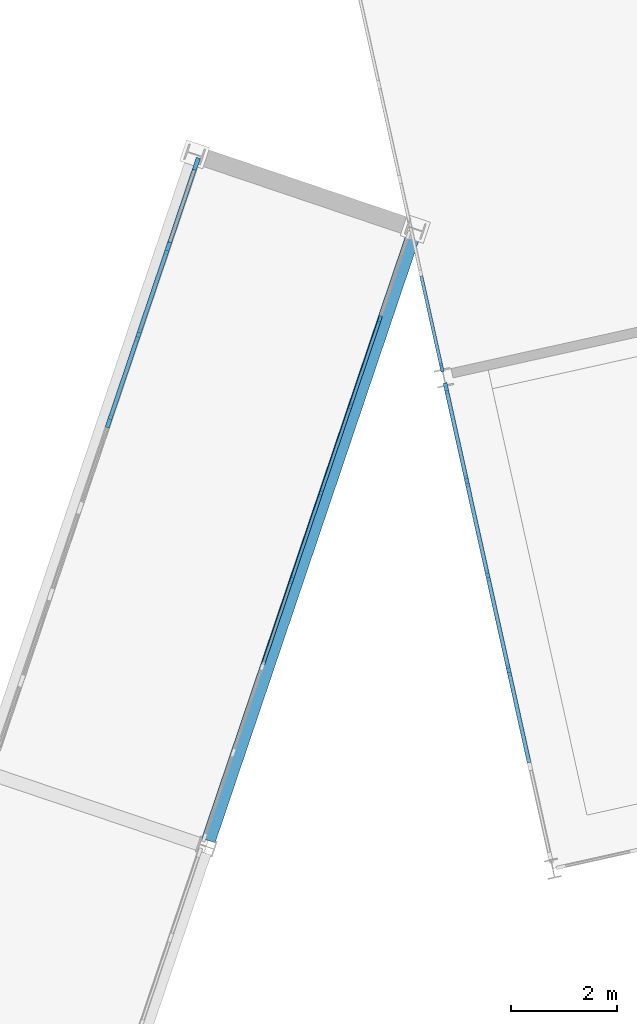
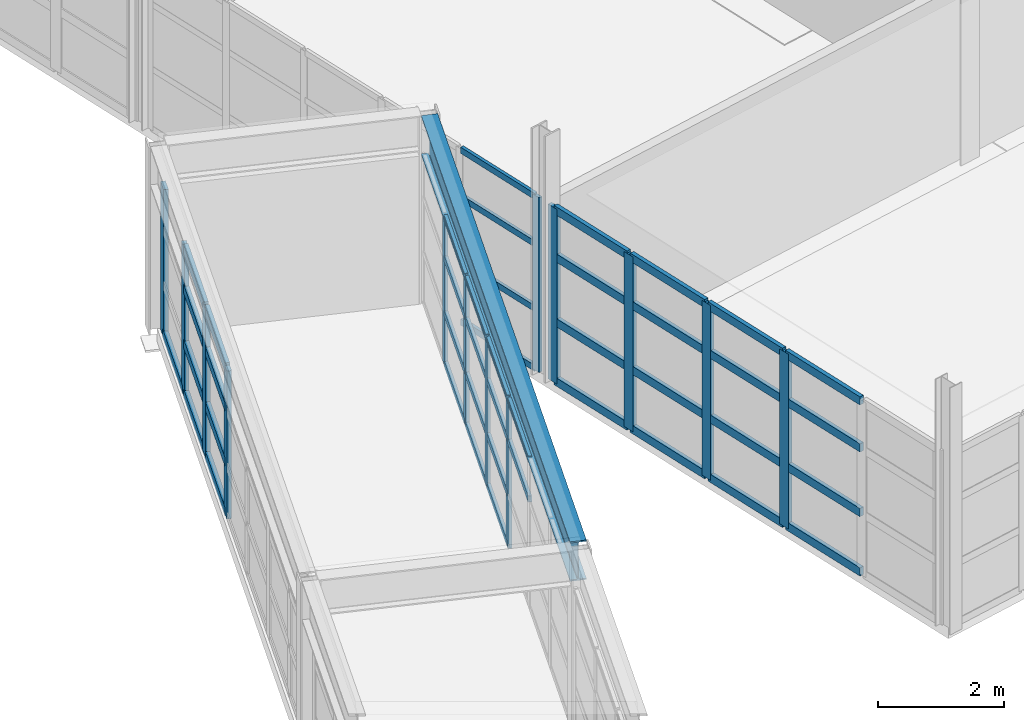
# One storey, part 52 of 102: 56 members, 1 beam, 4 elements without a shape of their own.
"""IFC4 building model written with IfcOpenShell, lengths in metres."""

from ifc_helpers import new_model, si_unit, direction, frame, origin, origin_2d, place, context, subcontext, project, spatial, rectangle, i_section, extrude, material, layer, layer_set, material_profile, profile_set, type_object, element, aggregate, save


model = new_model("IFC4")

# Units and contexts
model_context = context("Model", 3, precision=1e-05, world=origin(), true_north=direction((0.0, 1.0)))
body_context = subcontext(model_context, "Body", "Model", "MODEL_VIEW")
ifc_project = project(units=[si_unit("LENGTHUNIT", "METRE"), si_unit("AREAUNIT", "SQUARE_METRE"), si_unit("VOLUMEUNIT", "CUBIC_METRE"), si_unit("PLANEANGLEUNIT", "RADIAN"), si_unit("MASSUNIT", "GRAM", prefix="KILO")], contexts=[model_context])

# Site, building, storey
site_placement = place(None, origin())
site = spatial("IfcSite", under=ifc_project, at=site_placement, CompositionType="ELEMENT")
building_placement = place(site_placement, origin())
building = spatial("IfcBuilding", under=site, at=building_placement, Name="Vireo Bluff Cable Station", CompositionType="ELEMENT")
storey_placement = place(building_placement, frame((0.0, 0.0, 9.60009765625)))
storey = spatial("IfcBuildingStorey", under=building, at=storey_placement, Name="L02", CompositionType="ELEMENT", Elevation=9.60009765625)

# Curtain wall, members
ifc_material_1 = material(Name="Anodized Aluminium 6063-T6", Category="aluminium")
ifc_layer_1 = layer(ifc_material_1, 0.159912109375, Name="Anodized Aluminium 6063-T6")
ifc_layer_set_1 = layer_set([ifc_layer_1], Name="Anodized Aluminium 6063-T6")
curtain_wall_type_1 = type_object("IfcCurtainWallType", Name="CW-STICK-1850", PredefinedType="USERDEFINED", material=ifc_layer_set_1)
curtain_wall_1_placement = place(storey_placement, origin())
curtain_wall_1 = element("IfcCurtainWall", 1, at=curtain_wall_1_placement, inside=storey, type_object=curtain_wall_type_1, Name="V2 L02 west curtain wall CW-053", ObjectType="STICK CURTAIN WALL", PredefinedType="USERDEFINED")
ifc_material_profile_1 = material_profile(ifc_material_1, rectangle(XDim=0.074951171875, YDim=0.2099609375, at=origin_2d()), Name="ALU-M-75X210")
ifc_profile_set_1 = profile_set([ifc_material_profile_1], Name="Anodized Aluminium 6063-T6")
member_type_1 = type_object("IfcMemberType", Name="CWM-02", PredefinedType="MULLION", material=ifc_profile_set_1)
member_1_placement = place(storey_placement, frame((125.1689453125, 77.748779296875, 0.0), z_axis=(0.0, 0.0, 1.0), x_axis=(-0.976296000381, -0.216439644337, 0.0)))
member_1 = element("IfcMember", 2, at=member_1_placement, type_object=member_type_1, Name="CW-053 mullion 3", PredefinedType="MULLION", context=body_context, shape_type="SweptSolid", body=[
    extrude(rectangle(XDim=0.074951171875, YDim=0.2099609375, at=origin_2d()), origin(), (0.0, 0.0, 1.0), 3.39990234375),
])
member_2_placement = place(storey_placement, frame((124.772705078125, 79.535888671875, 0.0), z_axis=(0.0, 0.0, 1.0), x_axis=(-0.976296000381, -0.216439644337, 0.0)))
member_2 = element("IfcMember", 3, at=member_2_placement, type_object=member_type_1, Name="CW-053 mullion 4", PredefinedType="MULLION", context=body_context, shape_type="SweptSolid", body=[
    extrude(rectangle(XDim=0.074951171875, YDim=0.2099609375, at=origin_2d()), origin(), (0.0, 0.0, 1.0), 3.39990234375),
])
member_3_placement = place(storey_placement, frame((124.37646484375, 81.322998046875, 0.0), z_axis=(0.0, 0.0, 1.0), x_axis=(-0.976296000381, -0.216439644337, 0.0)))
member_3 = element("IfcMember", 4, at=member_3_placement, type_object=member_type_1, Name="CW-053 mullion 5", PredefinedType="MULLION", context=body_context, shape_type="SweptSolid", body=[
    extrude(rectangle(XDim=0.074951171875, YDim=0.2099609375, at=origin_2d()), origin(), (0.0, 0.0, 1.0), 3.39990234375),
])
member_4_placement = place(storey_placement, frame((123.988525390625, 83.07373046875, 0.0), z_axis=(0.0, 0.0, 1.0), x_axis=(-0.976296000381, -0.216439644337, 0.0)))
member_4 = element("IfcMember", 5, at=member_4_placement, type_object=member_type_1, Name="CW-053 mullion 6", PredefinedType="MULLION", context=body_context, shape_type="SweptSolid", body=[
    extrude(rectangle(XDim=0.074951171875, YDim=0.2099609375, at=origin_2d()), origin(), (0.0, 0.0, 1.0), 3.39990234375),
])

# Curtain wall, member
ifc_layer_2 = layer(ifc_material_1, 0.159912109375, Name="Anodized Aluminium 6063-T6")
ifc_layer_set_2 = layer_set([ifc_layer_2], Name="Anodized Aluminium 6063-T6")
curtain_wall_type_2 = type_object("IfcCurtainWallType", Name="CW-STICK-1750", PredefinedType="USERDEFINED", material=ifc_layer_set_2)
curtain_wall_2_placement = place(storey_placement, origin())
curtain_wall_2 = element("IfcCurtainWall", 6, at=curtain_wall_2_placement, inside=storey, type_object=curtain_wall_type_2, Name="V2 L02 west curtain wall CW-054", ObjectType="STICK CURTAIN WALL", PredefinedType="USERDEFINED")
ifc_material_profile_2 = material_profile(ifc_material_1, rectangle(XDim=0.06005859375, YDim=0.159912109375, at=origin_2d()), Name="ALU-M-60X160")
ifc_profile_set_2 = profile_set([ifc_material_profile_2], Name="Anodized Aluminium 6063-T6")
member_type_2 = type_object("IfcMemberType", Name="CWM-03", PredefinedType="MULLION", material=ifc_profile_set_2)
member_5_placement = place(storey_placement, frame((123.90087890625, 83.468505859375, 0.0), z_axis=(0.0, 0.0, 1.0), x_axis=(-0.976295993898, -0.216439673577, 0.0)))
member_5 = element("IfcMember", 7, at=member_5_placement, type_object=member_type_2, Name="CW-054 mullion 1", PredefinedType="MULLION", context=body_context, shape_type="SweptSolid", body=[
    extrude(rectangle(XDim=0.06005859375, YDim=0.159912109375, at=origin_2d()), origin(), (0.0, 0.0, 1.0), 3.39990234375),
])

# Curtain wall, members
curtain_wall_3_placement = place(storey_placement, origin())
curtain_wall_3 = element("IfcCurtainWall", 8, at=curtain_wall_3_placement, inside=storey, type_object=curtain_wall_type_2, Name="SKYBR L02 HAUL-DRIVE-3L curtain wall CW-150", ObjectType="STICK CURTAIN WALL", PredefinedType="USERDEFINED")
member_6_placement = place(storey_placement, frame((121.072509765625, 79.46337890625, 0.0), z_axis=(0.0, 0.0, 1.0), x_axis=(-0.947297996715, 0.320353719222, 0.0)))
member_6 = element("IfcMember", 9, at=member_6_placement, type_object=member_type_2, Name="CW-150 mullion 4", PredefinedType="MULLION", context=body_context, shape_type="SweptSolid", body=[
    extrude(rectangle(XDim=0.06005859375, YDim=0.159912109375, at=origin_2d()), origin(), (0.0, 0.0, 1.0), 2.8798828125),
])
member_7_placement = place(storey_placement, frame((121.625, 81.09765625, 0.0), z_axis=(0.0, 0.0, 1.0), x_axis=(-0.947297996715, 0.320353719222, 0.0)))
member_7 = element("IfcMember", 10, at=member_7_placement, type_object=member_type_2, Name="CW-150 mullion 5", PredefinedType="MULLION", context=body_context, shape_type="SweptSolid", body=[
    extrude(rectangle(XDim=0.06005859375, YDim=0.159912109375, at=origin_2d()), origin(), (0.0, 0.0, 1.0), 2.8798828125),
])
member_8_placement = place(storey_placement, frame((122.177734375, 82.731689453125, 0.0), z_axis=(0.0, 0.0, 1.0), x_axis=(-0.947297996715, 0.320353719222, 0.0)))
member_8 = element("IfcMember", 11, at=member_8_placement, type_object=member_type_2, Name="CW-150 mullion 6", PredefinedType="MULLION", context=body_context, shape_type="SweptSolid", body=[
    extrude(rectangle(XDim=0.06005859375, YDim=0.159912109375, at=origin_2d()), origin(), (0.0, 0.0, 1.0), 2.8798828125),
])
member_9_placement = place(storey_placement, frame((122.73046875, 84.365966796875, 0.0), z_axis=(0.0, 0.0, 1.0), x_axis=(-0.947297996715, 0.320353719222, 0.0)))
member_9 = element("IfcMember", 12, at=member_9_placement, type_object=member_type_2, Name="CW-150 mullion 7", PredefinedType="MULLION", context=body_context, shape_type="SweptSolid", body=[
    extrude(rectangle(XDim=0.06005859375, YDim=0.159912109375, at=origin_2d()), origin(), (0.0, 0.0, 1.0), 2.8798828125),
])

curtain_wall_4_placement = place(storey_placement, origin())
curtain_wall_4 = element("IfcCurtainWall", 13, at=curtain_wall_4_placement, inside=storey, type_object=curtain_wall_type_1, Name="SKYBR L02 HAUL-DRIVE-3R curtain wall CW-151", ObjectType="STICK CURTAIN WALL", PredefinedType="USERDEFINED")
ifc_material_profile_3 = material_profile(ifc_material_1, rectangle(XDim=0.080078125, YDim=0.239990234375, at=origin_2d()), Name="ALU-M-80X240")
ifc_profile_set_3 = profile_set([ifc_material_profile_3], Name="Anodized Aluminium 6063-T6")
member_type_3 = type_object("IfcMemberType", Name="CWM-04", PredefinedType="MULLION", material=ifc_profile_set_3)
member_10_placement = place(storey_placement, frame((117.623779296875, 82.45068359375, 0.0), z_axis=(0.0, 0.0, 1.0), x_axis=(-0.947297996715, 0.320353719222, 0.0)))
member_10 = element("IfcMember", 14, at=member_10_placement, type_object=member_type_3, Name="CW-151 mullion 5", PredefinedType="MULLION", context=body_context, shape_type="SweptSolid", body=[
    extrude(rectangle(XDim=0.080078125, YDim=0.239990234375, at=origin_2d()), origin(), (0.0, 0.0, 1.0), 2.8798828125),
])
member_11_placement = place(storey_placement, frame((118.17626953125, 84.0849609375, 0.0), z_axis=(0.0, 0.0, 1.0), x_axis=(-0.947297996715, 0.320353719222, 0.0)))
member_11 = element("IfcMember", 15, at=member_11_placement, type_object=member_type_3, Name="CW-151 mullion 6", PredefinedType="MULLION", context=body_context, shape_type="SweptSolid", body=[
    extrude(rectangle(XDim=0.080078125, YDim=0.239990234375, at=origin_2d()), origin(), (0.0, 0.0, 1.0), 2.8798828125),
])
member_12_placement = place(storey_placement, frame((118.72900390625, 85.718994140625, 0.0), z_axis=(0.0, 0.0, 1.0), x_axis=(-0.947297996715, 0.320353719222, 0.0)))
member_12 = element("IfcMember", 16, at=member_12_placement, type_object=member_type_3, Name="CW-151 mullion 7", PredefinedType="MULLION", context=body_context, shape_type="SweptSolid", body=[
    extrude(rectangle(XDim=0.080078125, YDim=0.239990234375, at=origin_2d()), origin(), (0.0, 0.0, 1.0), 2.8798828125),
])
member_13_placement = place(storey_placement, frame((119.268798828125, 87.3154296875, 0.0), z_axis=(0.0, 0.0, 1.0), x_axis=(-0.947297996715, 0.320353719222, 0.0)))
member_13 = element("IfcMember", 17, at=member_13_placement, type_object=member_type_3, Name="CW-151 mullion 8", PredefinedType="MULLION", context=body_context, shape_type="SweptSolid", body=[
    extrude(rectangle(XDim=0.080078125, YDim=0.239990234375, at=origin_2d()), origin(), (0.0, 0.0, 1.0), 2.8798828125),
])

# Member
ifc_material_profile_4 = material_profile(ifc_material_1, rectangle(XDim=0.074951171875, YDim=0.159912109375, at=origin_2d()), Name="ALU-T-75X160")
ifc_profile_set_4 = profile_set([ifc_material_profile_4], Name="Anodized Aluminium 6063-T6")
member_type_4 = type_object("IfcMemberType", Name="CWT-02", PredefinedType="USERDEFINED", material=ifc_profile_set_4)
member_14_placement = place(storey_placement, frame((125.55712890625, 75.998046875, 0.037353515625), z_axis=(-0.216503466614, 0.976281849132, 0.0), x_axis=(-0.976281849132, -0.216503466614, 0.0)))
member_14 = element("IfcMember", 18, at=member_14_placement, type_object=member_type_4, Name="CW-053 transom 2.1", ObjectType="TRANSOM", PredefinedType="USERDEFINED", context=body_context, shape_type="SweptSolid", body=[
    extrude(rectangle(XDim=0.074951171875, YDim=0.159912109375, at=origin_2d()), origin(), (0.0, 0.0, 1.0), 1.755859375),
])

member_15_placement = place(storey_placement, frame((125.55712890625, 75.998046875, 1.18994140625), z_axis=(-0.216503466614, 0.976281849132, 0.0), x_axis=(-0.976281849132, -0.216503466614, 0.0)))
member_15 = element("IfcMember", 19, at=member_15_placement, type_object=member_type_4, Name="CW-053 transom 2.2", ObjectType="TRANSOM", PredefinedType="USERDEFINED", context=body_context, shape_type="SweptSolid", body=[
    extrude(rectangle(XDim=0.074951171875, YDim=0.159912109375, at=origin_2d()), origin(), (0.0, 0.0, 1.0), 1.755859375),
])

member_16_placement = place(storey_placement, frame((125.55712890625, 75.998046875, 2.447998046875), z_axis=(-0.216503466614, 0.976281849132, 0.0), x_axis=(-0.976281849132, -0.216503466614, 0.0)))
member_16 = element("IfcMember", 20, at=member_16_placement, type_object=member_type_4, Name="CW-053 transom 2.3", ObjectType="TRANSOM", PredefinedType="USERDEFINED", context=body_context, shape_type="SweptSolid", body=[
    extrude(rectangle(XDim=0.074951171875, YDim=0.159912109375, at=origin_2d()), origin(), (0.0, 0.0, 1.0), 1.755859375),
])

member_17_placement = place(storey_placement, frame((125.55712890625, 75.998046875, 3.3623046875), z_axis=(-0.216503466614, 0.976281849132, 0.0), x_axis=(-0.976281849132, -0.216503466614, 0.0)))
member_17 = element("IfcMember", 21, at=member_17_placement, type_object=member_type_4, Name="CW-053 transom 2.4", ObjectType="TRANSOM", PredefinedType="USERDEFINED", context=body_context, shape_type="SweptSolid", body=[
    extrude(rectangle(XDim=0.074951171875, YDim=0.159912109375, at=origin_2d()), origin(), (0.0, 0.0, 1.0), 1.755859375),
])

member_18_placement = place(storey_placement, frame((125.160888671875, 77.785400390625, 0.037353515625), z_axis=(-0.216532861638, 0.97627532993, 0.0), x_axis=(-0.97627532993, -0.216532861638, 0.0)))
member_18 = element("IfcMember", 22, at=member_18_placement, type_object=member_type_4, Name="CW-053 transom 3.1", ObjectType="TRANSOM", PredefinedType="USERDEFINED", context=body_context, shape_type="SweptSolid", body=[
    extrude(rectangle(XDim=0.074951171875, YDim=0.159912109375, at=origin_2d()), origin(), (0.0, 0.0, 1.0), 1.755615234375),
])

member_19_placement = place(storey_placement, frame((125.160888671875, 77.785400390625, 1.18994140625), z_axis=(-0.216532861638, 0.97627532993, 0.0), x_axis=(-0.97627532993, -0.216532861638, 0.0)))
member_19 = element("IfcMember", 23, at=member_19_placement, type_object=member_type_4, Name="CW-053 transom 3.2", ObjectType="TRANSOM", PredefinedType="USERDEFINED", context=body_context, shape_type="SweptSolid", body=[
    extrude(rectangle(XDim=0.074951171875, YDim=0.159912109375, at=origin_2d()), origin(), (0.0, 0.0, 1.0), 1.755615234375),
])

member_20_placement = place(storey_placement, frame((125.160888671875, 77.785400390625, 2.447998046875), z_axis=(-0.216532861638, 0.97627532993, 0.0), x_axis=(-0.97627532993, -0.216532861638, 0.0)))
member_20 = element("IfcMember", 24, at=member_20_placement, type_object=member_type_4, Name="CW-053 transom 3.3", ObjectType="TRANSOM", PredefinedType="USERDEFINED", context=body_context, shape_type="SweptSolid", body=[
    extrude(rectangle(XDim=0.074951171875, YDim=0.159912109375, at=origin_2d()), origin(), (0.0, 0.0, 1.0), 1.755615234375),
])

member_21_placement = place(storey_placement, frame((125.160888671875, 77.785400390625, 3.3623046875), z_axis=(-0.216532861638, 0.97627532993, 0.0), x_axis=(-0.97627532993, -0.216532861638, 0.0)))
member_21 = element("IfcMember", 25, at=member_21_placement, type_object=member_type_4, Name="CW-053 transom 3.4", ObjectType="TRANSOM", PredefinedType="USERDEFINED", context=body_context, shape_type="SweptSolid", body=[
    extrude(rectangle(XDim=0.074951171875, YDim=0.159912109375, at=origin_2d()), origin(), (0.0, 0.0, 1.0), 1.755615234375),
])

member_22_placement = place(storey_placement, frame((124.7646484375, 79.572509765625, 0.037353515625), z_axis=(-0.216532861638, 0.97627532993, 0.0), x_axis=(-0.97627532993, -0.216532861638, 0.0)))
member_22 = element("IfcMember", 26, at=member_22_placement, type_object=member_type_4, Name="CW-053 transom 4.1", ObjectType="TRANSOM", PredefinedType="USERDEFINED", context=body_context, shape_type="SweptSolid", body=[
    extrude(rectangle(XDim=0.074951171875, YDim=0.159912109375, at=origin_2d()), origin(), (0.0, 0.0, 1.0), 1.755615234375),
])

member_23_placement = place(storey_placement, frame((124.7646484375, 79.572509765625, 1.18994140625), z_axis=(-0.216532861638, 0.97627532993, 0.0), x_axis=(-0.97627532993, -0.216532861638, 0.0)))
member_23 = element("IfcMember", 27, at=member_23_placement, type_object=member_type_4, Name="CW-053 transom 4.2", ObjectType="TRANSOM", PredefinedType="USERDEFINED", context=body_context, shape_type="SweptSolid", body=[
    extrude(rectangle(XDim=0.074951171875, YDim=0.159912109375, at=origin_2d()), origin(), (0.0, 0.0, 1.0), 1.755615234375),
])

member_24_placement = place(storey_placement, frame((124.7646484375, 79.572509765625, 2.447998046875), z_axis=(-0.216532861638, 0.97627532993, 0.0), x_axis=(-0.97627532993, -0.216532861638, 0.0)))
member_24 = element("IfcMember", 28, at=member_24_placement, type_object=member_type_4, Name="CW-053 transom 4.3", ObjectType="TRANSOM", PredefinedType="USERDEFINED", context=body_context, shape_type="SweptSolid", body=[
    extrude(rectangle(XDim=0.074951171875, YDim=0.159912109375, at=origin_2d()), origin(), (0.0, 0.0, 1.0), 1.755615234375),
])

member_25_placement = place(storey_placement, frame((124.7646484375, 79.572509765625, 3.3623046875), z_axis=(-0.216532861638, 0.97627532993, 0.0), x_axis=(-0.97627532993, -0.216532861638, 0.0)))
member_25 = element("IfcMember", 29, at=member_25_placement, type_object=member_type_4, Name="CW-053 transom 4.4", ObjectType="TRANSOM", PredefinedType="USERDEFINED", context=body_context, shape_type="SweptSolid", body=[
    extrude(rectangle(XDim=0.074951171875, YDim=0.159912109375, at=origin_2d()), origin(), (0.0, 0.0, 1.0), 1.755615234375),
])

member_26_placement = place(storey_placement, frame((124.368408203125, 81.359619140625, 0.037353515625), z_axis=(-0.216403855524, 0.976303933883, 0.0), x_axis=(-0.976303933883, -0.216403855524, 0.0)))
member_26 = element("IfcMember", 30, at=member_26_placement, type_object=member_type_4, Name="CW-053 transom 5.1", ObjectType="TRANSOM", PredefinedType="USERDEFINED", context=body_context, shape_type="SweptSolid", body=[
    extrude(rectangle(XDim=0.074951171875, YDim=0.159912109375, at=origin_2d()), origin(), (0.0, 0.0, 1.0), 1.71826171875),
])

member_27_placement = place(storey_placement, frame((124.368408203125, 81.359619140625, 1.18994140625), z_axis=(-0.216403855524, 0.976303933883, 0.0), x_axis=(-0.976303933883, -0.216403855524, 0.0)))
member_27 = element("IfcMember", 31, at=member_27_placement, type_object=member_type_4, Name="CW-053 transom 5.2", ObjectType="TRANSOM", PredefinedType="USERDEFINED", context=body_context, shape_type="SweptSolid", body=[
    extrude(rectangle(XDim=0.074951171875, YDim=0.159912109375, at=origin_2d()), origin(), (0.0, 0.0, 1.0), 1.71826171875),
])

member_28_placement = place(storey_placement, frame((124.368408203125, 81.359619140625, 2.447998046875), z_axis=(-0.216403855524, 0.976303933883, 0.0), x_axis=(-0.976303933883, -0.216403855524, 0.0)))
member_28 = element("IfcMember", 32, at=member_28_placement, type_object=member_type_4, Name="CW-053 transom 5.3", ObjectType="TRANSOM", PredefinedType="USERDEFINED", context=body_context, shape_type="SweptSolid", body=[
    extrude(rectangle(XDim=0.074951171875, YDim=0.159912109375, at=origin_2d()), origin(), (0.0, 0.0, 1.0), 1.71826171875),
])

member_29_placement = place(storey_placement, frame((124.368408203125, 81.359619140625, 3.3623046875), z_axis=(-0.216403855524, 0.976303933883, 0.0), x_axis=(-0.976303933883, -0.216403855524, 0.0)))
member_29 = element("IfcMember", 33, at=member_29_placement, type_object=member_type_4, Name="CW-053 transom 5.4", ObjectType="TRANSOM", PredefinedType="USERDEFINED", context=body_context, shape_type="SweptSolid", body=[
    extrude(rectangle(XDim=0.074951171875, YDim=0.159912109375, at=origin_2d()), origin(), (0.0, 0.0, 1.0), 1.71826171875),
])

aggregate(curtain_wall_1, [member_1, member_2, member_3, member_4, member_14, member_15, member_16, member_17, member_18, member_19, member_20, member_21, member_22, member_23, member_24, member_25, member_26, member_27, member_28, member_29])

ifc_material_profile_5 = material_profile(ifc_material_1, rectangle(XDim=0.06005859375, YDim=0.1201171875, at=origin_2d()), Name="ALU-T-60X120")
ifc_profile_set_5 = profile_set([ifc_material_profile_5], Name="Anodized Aluminium 6063-T6")
member_type_5 = type_object("IfcMemberType", Name="CWT-03", PredefinedType="USERDEFINED", material=ifc_profile_set_5)
member_30_placement = place(storey_placement, frame((123.894287109375, 83.497802734375, 0.02978515625), z_axis=(-0.216322587594, 0.976321943878, 0.0), x_axis=(-0.976321943878, -0.216322587594, 0.0)))
member_30 = element("IfcMember", 34, at=member_30_placement, type_object=member_type_5, Name="CW-054 transom 1.1", ObjectType="TRANSOM", PredefinedType="USERDEFINED", context=body_context, shape_type="SweptSolid", body=[
    extrude(rectangle(XDim=0.06005859375, YDim=0.1201171875, at=origin_2d()), origin(), (0.0, 0.0, 1.0), 1.74365234375),
])

member_31_placement = place(storey_placement, frame((123.894287109375, 83.497802734375, 1.18994140625), z_axis=(-0.216322587594, 0.976321943878, 0.0), x_axis=(-0.976321943878, -0.216322587594, 0.0)))
member_31 = element("IfcMember", 35, at=member_31_placement, type_object=member_type_5, Name="CW-054 transom 1.2", ObjectType="TRANSOM", PredefinedType="USERDEFINED", context=body_context, shape_type="SweptSolid", body=[
    extrude(rectangle(XDim=0.06005859375, YDim=0.1201171875, at=origin_2d()), origin(), (0.0, 0.0, 1.0), 1.74365234375),
])

member_32_placement = place(storey_placement, frame((123.894287109375, 83.497802734375, 2.447998046875), z_axis=(-0.216322587594, 0.976321943878, 0.0), x_axis=(-0.976321943878, -0.216322587594, 0.0)))
member_32 = element("IfcMember", 36, at=member_32_placement, type_object=member_type_5, Name="CW-054 transom 1.3", ObjectType="TRANSOM", PredefinedType="USERDEFINED", context=body_context, shape_type="SweptSolid", body=[
    extrude(rectangle(XDim=0.06005859375, YDim=0.1201171875, at=origin_2d()), origin(), (0.0, 0.0, 1.0), 1.74365234375),
])

member_33_placement = place(storey_placement, frame((123.894287109375, 83.497802734375, 3.369873046875), z_axis=(-0.216322587594, 0.976321943878, 0.0), x_axis=(-0.976321943878, -0.216322587594, 0.0)))
member_33 = element("IfcMember", 37, at=member_33_placement, type_object=member_type_5, Name="CW-054 transom 1.4", ObjectType="TRANSOM", PredefinedType="USERDEFINED", context=body_context, shape_type="SweptSolid", body=[
    extrude(rectangle(XDim=0.06005859375, YDim=0.1201171875, at=origin_2d()), origin(), (0.0, 0.0, 1.0), 1.74365234375),
])

aggregate(curtain_wall_2, [member_5, member_30, member_31, member_32, member_33])

member_34_placement = place(storey_placement, frame((120.529296875, 77.857666015625, 2.073486328125), z_axis=(0.320359378023, 0.947296083024, 0.0), x_axis=(-0.947296083024, 0.320359378023, 0.0)))
member_34 = element("IfcMember", 38, at=member_34_placement, type_object=member_type_5, Name="CW-150 transom 3.3", ObjectType="TRANSOM", PredefinedType="USERDEFINED", context=body_context, shape_type="SweptSolid", body=[
    extrude(rectangle(XDim=0.06005859375, YDim=0.1201171875, at=origin_2d()), origin(), (0.0, 0.0, 1.0), 1.6650390625),
])

member_35_placement = place(storey_placement, frame((120.529296875, 77.857666015625, 2.849853515625), z_axis=(0.320359378023, 0.947296083024, 0.0), x_axis=(-0.947296083024, 0.320359378023, 0.0)))
member_35 = element("IfcMember", 39, at=member_35_placement, type_object=member_type_5, Name="CW-150 transom 3.4", ObjectType="TRANSOM", PredefinedType="USERDEFINED", context=body_context, shape_type="SweptSolid", body=[
    extrude(rectangle(XDim=0.06005859375, YDim=0.1201171875, at=origin_2d()), origin(), (0.0, 0.0, 1.0), 1.6650390625),
])

member_36_placement = place(storey_placement, frame((121.08203125, 79.49169921875, 0.02978515625), z_axis=(0.320359378023, 0.947296083024, 0.0), x_axis=(-0.947296083024, 0.320359378023, 0.0)))
member_36 = element("IfcMember", 40, at=member_36_placement, type_object=member_type_5, Name="CW-150 transom 4.1", ObjectType="TRANSOM", PredefinedType="USERDEFINED", context=body_context, shape_type="SweptSolid", body=[
    extrude(rectangle(XDim=0.06005859375, YDim=0.1201171875, at=origin_2d()), origin(), (0.0, 0.0, 1.0), 1.6650390625),
])

member_37_placement = place(storey_placement, frame((121.08203125, 79.49169921875, 1.0078125), z_axis=(0.320359378023, 0.947296083024, 0.0), x_axis=(-0.947296083024, 0.320359378023, 0.0)))
member_37 = element("IfcMember", 41, at=member_37_placement, type_object=member_type_5, Name="CW-150 transom 4.2", ObjectType="TRANSOM", PredefinedType="USERDEFINED", context=body_context, shape_type="SweptSolid", body=[
    extrude(rectangle(XDim=0.06005859375, YDim=0.1201171875, at=origin_2d()), origin(), (0.0, 0.0, 1.0), 1.6650390625),
])

member_38_placement = place(storey_placement, frame((121.08203125, 79.49169921875, 2.073486328125), z_axis=(0.320359378023, 0.947296083024, 0.0), x_axis=(-0.947296083024, 0.320359378023, 0.0)))
member_38 = element("IfcMember", 42, at=member_38_placement, type_object=member_type_5, Name="CW-150 transom 4.3", ObjectType="TRANSOM", PredefinedType="USERDEFINED", context=body_context, shape_type="SweptSolid", body=[
    extrude(rectangle(XDim=0.06005859375, YDim=0.1201171875, at=origin_2d()), origin(), (0.0, 0.0, 1.0), 1.6650390625),
])

member_39_placement = place(storey_placement, frame((121.08203125, 79.49169921875, 2.849853515625), z_axis=(0.320359378023, 0.947296083024, 0.0), x_axis=(-0.947296083024, 0.320359378023, 0.0)))
member_39 = element("IfcMember", 43, at=member_39_placement, type_object=member_type_5, Name="CW-150 transom 4.4", ObjectType="TRANSOM", PredefinedType="USERDEFINED", context=body_context, shape_type="SweptSolid", body=[
    extrude(rectangle(XDim=0.06005859375, YDim=0.1201171875, at=origin_2d()), origin(), (0.0, 0.0, 1.0), 1.6650390625),
])

member_40_placement = place(storey_placement, frame((121.634765625, 81.1259765625, 0.02978515625), z_axis=(0.320359378023, 0.947296083024, 0.0), x_axis=(-0.947296083024, 0.320359378023, 0.0)))
member_40 = element("IfcMember", 44, at=member_40_placement, type_object=member_type_5, Name="CW-150 transom 5.1", ObjectType="TRANSOM", PredefinedType="USERDEFINED", context=body_context, shape_type="SweptSolid", body=[
    extrude(rectangle(XDim=0.06005859375, YDim=0.1201171875, at=origin_2d()), origin(), (0.0, 0.0, 1.0), 1.6650390625),
])

member_41_placement = place(storey_placement, frame((121.634765625, 81.1259765625, 1.0078125), z_axis=(0.320359378023, 0.947296083024, 0.0), x_axis=(-0.947296083024, 0.320359378023, 0.0)))
member_41 = element("IfcMember", 45, at=member_41_placement, type_object=member_type_5, Name="CW-150 transom 5.2", ObjectType="TRANSOM", PredefinedType="USERDEFINED", context=body_context, shape_type="SweptSolid", body=[
    extrude(rectangle(XDim=0.06005859375, YDim=0.1201171875, at=origin_2d()), origin(), (0.0, 0.0, 1.0), 1.6650390625),
])

member_42_placement = place(storey_placement, frame((121.634765625, 81.1259765625, 2.073486328125), z_axis=(0.320359378023, 0.947296083024, 0.0), x_axis=(-0.947296083024, 0.320359378023, 0.0)))
member_42 = element("IfcMember", 46, at=member_42_placement, type_object=member_type_5, Name="CW-150 transom 5.3", ObjectType="TRANSOM", PredefinedType="USERDEFINED", context=body_context, shape_type="SweptSolid", body=[
    extrude(rectangle(XDim=0.06005859375, YDim=0.1201171875, at=origin_2d()), origin(), (0.0, 0.0, 1.0), 1.6650390625),
])

member_43_placement = place(storey_placement, frame((121.634765625, 81.1259765625, 2.849853515625), z_axis=(0.320359378023, 0.947296083024, 0.0), x_axis=(-0.947296083024, 0.320359378023, 0.0)))
member_43 = element("IfcMember", 47, at=member_43_placement, type_object=member_type_5, Name="CW-150 transom 5.4", ObjectType="TRANSOM", PredefinedType="USERDEFINED", context=body_context, shape_type="SweptSolid", body=[
    extrude(rectangle(XDim=0.06005859375, YDim=0.1201171875, at=origin_2d()), origin(), (0.0, 0.0, 1.0), 1.6650390625),
])

member_44_placement = place(storey_placement, frame((122.187255859375, 82.76025390625, 0.02978515625), z_axis=(0.320403878643, 0.947281032509, 0.0), x_axis=(-0.947281032509, 0.320403878643, 0.0)))
member_44 = element("IfcMember", 48, at=member_44_placement, type_object=member_type_5, Name="CW-150 transom 6.1", ObjectType="TRANSOM", PredefinedType="USERDEFINED", context=body_context, shape_type="SweptSolid", body=[
    extrude(rectangle(XDim=0.06005859375, YDim=0.1201171875, at=origin_2d()), origin(), (0.0, 0.0, 1.0), 1.6650390625),
])

member_45_placement = place(storey_placement, frame((122.187255859375, 82.76025390625, 1.0078125), z_axis=(0.320403878643, 0.947281032509, 0.0), x_axis=(-0.947281032509, 0.320403878643, 0.0)))
member_45 = element("IfcMember", 49, at=member_45_placement, type_object=member_type_5, Name="CW-150 transom 6.2", ObjectType="TRANSOM", PredefinedType="USERDEFINED", context=body_context, shape_type="SweptSolid", body=[
    extrude(rectangle(XDim=0.06005859375, YDim=0.1201171875, at=origin_2d()), origin(), (0.0, 0.0, 1.0), 1.6650390625),
])

member_46_placement = place(storey_placement, frame((122.187255859375, 82.76025390625, 2.073486328125), z_axis=(0.320403878643, 0.947281032509, 0.0), x_axis=(-0.947281032509, 0.320403878643, 0.0)))
member_46 = element("IfcMember", 50, at=member_46_placement, type_object=member_type_5, Name="CW-150 transom 6.3", ObjectType="TRANSOM", PredefinedType="USERDEFINED", context=body_context, shape_type="SweptSolid", body=[
    extrude(rectangle(XDim=0.06005859375, YDim=0.1201171875, at=origin_2d()), origin(), (0.0, 0.0, 1.0), 1.6650390625),
])

member_47_placement = place(storey_placement, frame((122.187255859375, 82.76025390625, 2.849853515625), z_axis=(0.320403878643, 0.947281032509, 0.0), x_axis=(-0.947281032509, 0.320403878643, 0.0)))
member_47 = element("IfcMember", 51, at=member_47_placement, type_object=member_type_5, Name="CW-150 transom 6.4", ObjectType="TRANSOM", PredefinedType="USERDEFINED", context=body_context, shape_type="SweptSolid", body=[
    extrude(rectangle(XDim=0.06005859375, YDim=0.1201171875, at=origin_2d()), origin(), (0.0, 0.0, 1.0), 1.6650390625),
])

aggregate(curtain_wall_3, [member_6, member_7, member_8, member_9, member_34, member_35, member_36, member_37, member_38, member_39, member_40, member_41, member_42, member_43, member_44, member_45, member_46, member_47])

ifc_material_profile_6 = material_profile(ifc_material_1, rectangle(XDim=0.080078125, YDim=0.175048828125, at=origin_2d()), Name="ALU-T-80X175")
ifc_profile_set_6 = profile_set([ifc_material_profile_6], Name="Anodized Aluminium 6063-T6")
member_type_6 = type_object("IfcMemberType", Name="CWT-04", PredefinedType="USERDEFINED", material=ifc_profile_set_6)
member_48_placement = place(storey_placement, frame((117.636474609375, 82.488525390625, 0.039794921875), z_axis=(0.320364715833, 0.947294277851, 0.0), x_axis=(-0.947294277851, 0.320364715833, 0.0)))
member_48 = element("IfcMember", 52, at=member_48_placement, type_object=member_type_6, Name="CW-151 transom 5.1", ObjectType="TRANSOM", PredefinedType="USERDEFINED", context=body_context, shape_type="SweptSolid", body=[
    extrude(rectangle(XDim=0.080078125, YDim=0.175048828125, at=origin_2d()), origin(), (0.0, 0.0, 1.0), 1.645263671875),
])

member_49_placement = place(storey_placement, frame((117.636474609375, 82.488525390625, 1.0078125), z_axis=(0.320364715833, 0.947294277851, 0.0), x_axis=(-0.947294277851, 0.320364715833, 0.0)))
member_49 = element("IfcMember", 53, at=member_49_placement, type_object=member_type_6, Name="CW-151 transom 5.2", ObjectType="TRANSOM", PredefinedType="USERDEFINED", context=body_context, shape_type="SweptSolid", body=[
    extrude(rectangle(XDim=0.080078125, YDim=0.175048828125, at=origin_2d()), origin(), (0.0, 0.0, 1.0), 1.645263671875),
])

member_50_placement = place(storey_placement, frame((117.636474609375, 82.488525390625, 2.073486328125), z_axis=(0.320364715833, 0.947294277851, 0.0), x_axis=(-0.947294277851, 0.320364715833, 0.0)))
member_50 = element("IfcMember", 54, at=member_50_placement, type_object=member_type_6, Name="CW-151 transom 5.3", ObjectType="TRANSOM", PredefinedType="USERDEFINED", context=body_context, shape_type="SweptSolid", body=[
    extrude(rectangle(XDim=0.080078125, YDim=0.175048828125, at=origin_2d()), origin(), (0.0, 0.0, 1.0), 1.645263671875),
])

member_51_placement = place(storey_placement, frame((117.636474609375, 82.488525390625, 2.83984375), z_axis=(0.320364715833, 0.947294277851, 0.0), x_axis=(-0.947294277851, 0.320364715833, 0.0)))
member_51 = element("IfcMember", 55, at=member_51_placement, type_object=member_type_6, Name="CW-151 transom 5.4", ObjectType="TRANSOM", PredefinedType="USERDEFINED", context=body_context, shape_type="SweptSolid", body=[
    extrude(rectangle(XDim=0.080078125, YDim=0.175048828125, at=origin_2d()), origin(), (0.0, 0.0, 1.0), 1.645263671875),
])

member_52_placement = place(storey_placement, frame((118.189208984375, 84.122802734375, 0.039794921875), z_axis=(0.320276573564, 0.947324082047, 0.0), x_axis=(-0.947324082047, 0.320276573564, 0.0)))
member_52 = element("IfcMember", 56, at=member_52_placement, type_object=member_type_6, Name="CW-151 transom 6.1", ObjectType="TRANSOM", PredefinedType="USERDEFINED", context=body_context, shape_type="SweptSolid", body=[
    extrude(rectangle(XDim=0.080078125, YDim=0.175048828125, at=origin_2d()), origin(), (0.0, 0.0, 1.0), 1.64501953125),
])

member_53_placement = place(storey_placement, frame((118.189208984375, 84.122802734375, 1.0078125), z_axis=(0.320276573564, 0.947324082047, 0.0), x_axis=(-0.947324082047, 0.320276573564, 0.0)))
member_53 = element("IfcMember", 57, at=member_53_placement, type_object=member_type_6, Name="CW-151 transom 6.2", ObjectType="TRANSOM", PredefinedType="USERDEFINED", context=body_context, shape_type="SweptSolid", body=[
    extrude(rectangle(XDim=0.080078125, YDim=0.175048828125, at=origin_2d()), origin(), (0.0, 0.0, 1.0), 1.64501953125),
])

member_54_placement = place(storey_placement, frame((118.189208984375, 84.122802734375, 2.073486328125), z_axis=(0.320276573564, 0.947324082047, 0.0), x_axis=(-0.947324082047, 0.320276573564, 0.0)))
member_54 = element("IfcMember", 58, at=member_54_placement, type_object=member_type_6, Name="CW-151 transom 6.3", ObjectType="TRANSOM", PredefinedType="USERDEFINED", context=body_context, shape_type="SweptSolid", body=[
    extrude(rectangle(XDim=0.080078125, YDim=0.175048828125, at=origin_2d()), origin(), (0.0, 0.0, 1.0), 1.64501953125),
])

member_55_placement = place(storey_placement, frame((118.189208984375, 84.122802734375, 2.83984375), z_axis=(0.320276573564, 0.947324082047, 0.0), x_axis=(-0.947324082047, 0.320276573564, 0.0)))
member_55 = element("IfcMember", 59, at=member_55_placement, type_object=member_type_6, Name="CW-151 transom 6.4", ObjectType="TRANSOM", PredefinedType="USERDEFINED", context=body_context, shape_type="SweptSolid", body=[
    extrude(rectangle(XDim=0.080078125, YDim=0.175048828125, at=origin_2d()), origin(), (0.0, 0.0, 1.0), 1.64501953125),
])

member_56_placement = place(storey_placement, frame((118.74169921875, 85.757080078125, 0.039794921875), z_axis=(0.320331618583, 0.94730547034, 0.0), x_axis=(-0.94730547034, 0.320331618583, 0.0)))
member_56 = element("IfcMember", 60, at=member_56_placement, type_object=member_type_6, Name="CW-151 transom 7.1", ObjectType="TRANSOM", PredefinedType="USERDEFINED", context=body_context, shape_type="SweptSolid", body=[
    extrude(rectangle(XDim=0.080078125, YDim=0.175048828125, at=origin_2d()), origin(), (0.0, 0.0, 1.0), 1.60498046875),
])

aggregate(curtain_wall_4, [member_10, member_11, member_12, member_13, member_48, member_49, member_50, member_51, member_52, member_53, member_54, member_55, member_56])

# Beam
ifc_material_2 = material(Name="Steel ASTM A992 Gr. 50", Category="steel")
ifc_material_profile_7 = material_profile(ifc_material_2, i_section(OverallWidth=0.26708984375, OverallDepth=0.77001953125, WebThickness=0.015625, FlangeThickness=0.025390625, FilletRadius=0.01611328125, at=origin_2d()), Name="W30X132")
ifc_profile_set_7 = profile_set([ifc_material_profile_7], Name="Steel ASTM A992 Gr. 50")
beam_type = type_object("IfcBeamType", Name="EXTGIR-W30X132", PredefinedType="USERDEFINED", material=ifc_profile_set_7)
beam_placement = place(storey_placement, frame((119.497802734375, 74.53271484375, 3.25), z_axis=(0.320349184823, 0.947299530129, 0.0), x_axis=(-0.947299530129, 0.320349184823, 0.0)))
element("IfcBeam", 61, at=beam_placement, inside=storey, type_object=beam_type, Name="HAUL-DRIVE skybridge roof girder 3L", ObjectType="GIRDER", PredefinedType="USERDEFINED", context=body_context, shape_type="SweptSolid", body=[
    extrude(i_section(OverallWidth=0.26708984375, OverallDepth=0.77001953125, WebThickness=0.015625, FlangeThickness=0.025390625, FilletRadius=0.01611328125, at=origin_2d()), origin(), (0.0, 0.0, 1.0), 12.07568359375),
])

save(model, "model.ifc")
